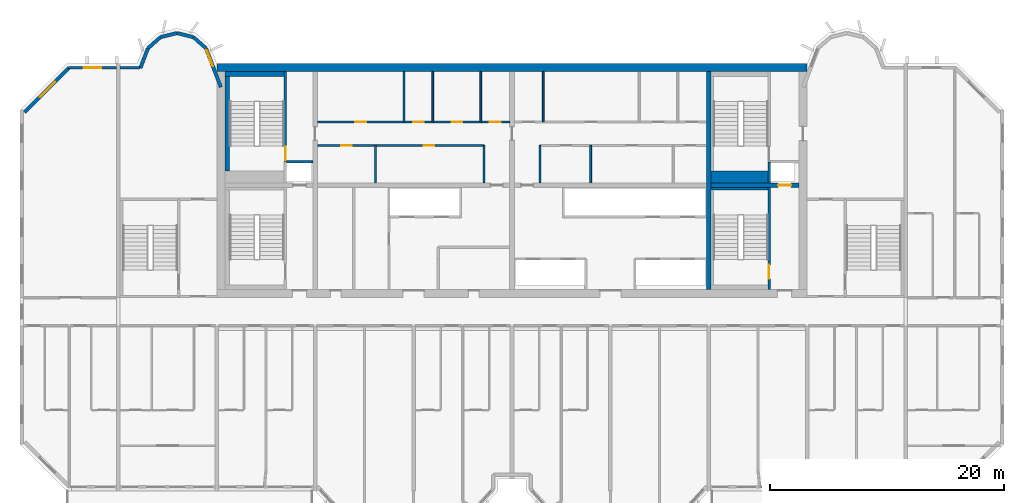
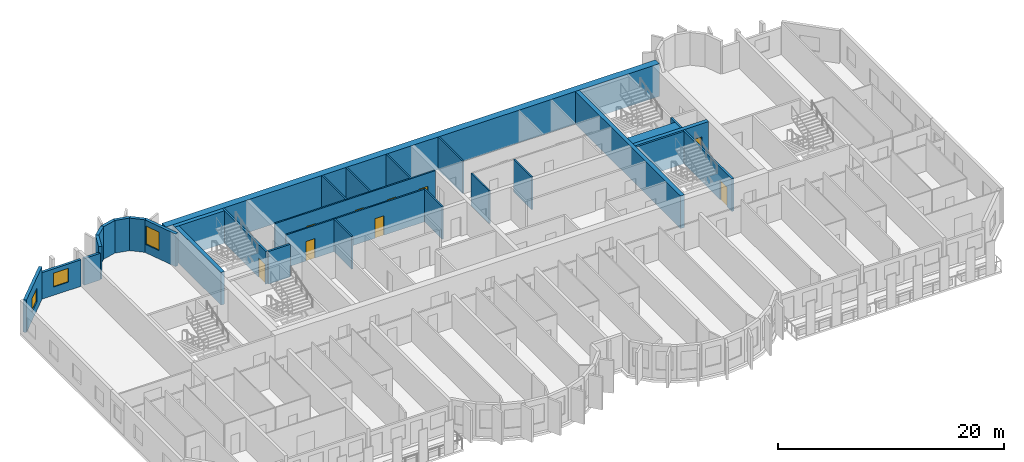
# One storey, part 7 of 13: 30 walls, 9 doors, 3 windows, 12 openings.
"""IFC4 building model written with IfcOpenShell, lengths in metres."""

import ifcopenshell
import ifcopenshell.guid

model = None  # the IFC model being written
_history = None  # IfcOwnerHistory: only IFC2X3 demands one
_inside = {}  # id of a spatial element -> (the spatial element, [elements in it])
_under = {}  # id of a project, library or spatial element -> (it, [spatial elements below it])
_declared = {}  # id of a project -> (the project, [libraries it declares])
_typed = {}  # id of a type object -> (the type object, [elements of that type])
_made_of = {}  # id of a material, layer set ... -> (it, [elements and type objects made of it])


def new_model(schema):
    """Start an empty IFC model of exactly this schema.

    Asked for "IFC4X3", IfcOpenShell would pick the latest addendum, in which some entities
    have other attributes; the version numbers below select the first issue.
    IFC2X3 requires an IfcOwnerHistory on every rooted entity: one is made here for all.
    """
    global model, _history
    if schema == "IFC4X3":
        model = ifcopenshell.file(schema_version=(4, 3, 0, 0))
    else:
        model = ifcopenshell.file(schema=schema)
    _inside.clear()
    _under.clear()
    _declared.clear()
    _typed.clear()
    _made_of.clear()
    _history = None
    if model.schema == "IFC2X3":
        org = make("IfcOrganization", Name="unknown")
        user = make(
            "IfcPersonAndOrganization",
            ThePerson=make("IfcPerson", FamilyName="unknown"),
            TheOrganization=org,
        )
        app = make(
            "IfcApplication",
            ApplicationDeveloper=org,
            Version="unknown",
            ApplicationFullName="unknown",
            ApplicationIdentifier="unknown",
        )
        _history = make(
            "IfcOwnerHistory",
            OwningUser=user,
            OwningApplication=app,
            ChangeAction="ADDED",
            CreationDate=0,
        )
    return model


def make(cls, **values):
    """One entity of the class cls with the attributes given. An attribute that is None is left unset."""
    return model.create_entity(
        cls, **{name: value for name, value in values.items() if value is not None}
    )


def rooted(cls, **values):
    """An entity with a GlobalId (a new one), such as an element, a storey or a relation."""
    return make(cls, GlobalId=ifcopenshell.guid.new(), OwnerHistory=_history, **values)


def si_unit(unit_type, name, prefix=None):
    """IfcSIUnit, for example si_unit("LENGTHUNIT", "METRE", prefix="MILLI")."""
    return make("IfcSIUnit", UnitType=unit_type, Prefix=prefix, Name=name)


def assignment(units):
    """IfcUnitAssignment: the units of a project."""
    return None if units is None else make("IfcUnitAssignment", Units=units)


def point(xyz):
    """IfcCartesianPoint."""
    return None if xyz is None else make("IfcCartesianPoint", Coordinates=xyz)


def direction(xyz):
    """IfcDirection."""
    return None if xyz is None else make("IfcDirection", DirectionRatios=xyz)


def frame(location, z_axis=None, x_axis=None):
    """IfcAxis2Placement3D, a coordinate frame: its origin and axes. An axis left out is left unset."""
    return make(
        "IfcAxis2Placement3D",
        Location=point(location),
        Axis=direction(z_axis),
        RefDirection=direction(x_axis),
    )


def frame_2d(location, x_axis=None):
    """IfcAxis2Placement2D, a coordinate frame in the plane: its origin and x axis."""
    return make(
        "IfcAxis2Placement2D", Location=point(location), RefDirection=direction(x_axis)
    )


def origin():
    """The frame at (0, 0, 0) with its axes left unset."""
    return frame((0.0, 0.0, 0.0))


def place(relative_to, where):
    """IfcLocalPlacement: puts the frame where relative to a parent placement (None: the world)."""
    return make(
        "IfcLocalPlacement", PlacementRelTo=relative_to, RelativePlacement=where
    )


def context(
    kind, dimensions, precision=None, world=None, true_north=None, identifier=None
):
    """IfcGeometricRepresentationContext, for example the 3D "Model" context."""
    return make(
        "IfcGeometricRepresentationContext",
        ContextIdentifier=identifier,
        ContextType=kind,
        CoordinateSpaceDimension=dimensions,
        Precision=precision,
        WorldCoordinateSystem=world,
        TrueNorth=true_north,
    )


def subcontext(parent, identifier, kind, view, scale=None):
    """IfcGeometricRepresentationSubContext, for example "Body" below "Model"."""
    return make(
        "IfcGeometricRepresentationSubContext",
        ContextIdentifier=identifier,
        ContextType=kind,
        ParentContext=parent,
        TargetScale=scale,
        TargetView=view,
    )


def project(units=None, contexts=None):
    """IfcProject with its units and contexts."""
    return rooted(
        "IfcProject",
        Name="project",
        RepresentationContexts=contexts,
        UnitsInContext=assignment(units),
    )


def spatial(cls, under=None, at=None, **own):
    """A site, building, storey or space (cls), placed at a placement, below another one or the project."""
    s = rooted(cls, ObjectPlacement=at, **own)
    if under is not None:
        _under.setdefault(under.id(), (under, []))[1].append(s)
    return s


def profile(cls, at=None, kind="AREA", **sizes):
    """A parametric profile (cls). Its sizes go by their IFC names, for example OverallWidth=200.0."""
    return make(cls, ProfileType=kind, Position=at, **sizes)


def rectangle(**sizes):
    """IfcRectangleProfileDef."""
    return profile("IfcRectangleProfileDef", **sizes)


def extrude(swept, where, along, depth):
    """IfcExtrudedAreaSolid: the profile swept, set in the frame where, extruded along a direction by depth."""
    return make(
        "IfcExtrudedAreaSolid",
        SweptArea=swept,
        Position=where,
        ExtrudedDirection=direction(along),
        Depth=depth,
    )


def shape(context_of_items, identifier, shape_type, items):
    """IfcShapeRepresentation: the items that make up one representation, for example the "Body"."""
    return make(
        "IfcShapeRepresentation",
        ContextOfItems=context_of_items,
        RepresentationIdentifier=identifier,
        RepresentationType=shape_type,
        Items=items,
    )


def source(mapping_origin, context_of_items, identifier, shape_type, items):
    """IfcRepresentationMap: a shape defined once, which mapped items show again and again."""
    return make(
        "IfcRepresentationMap",
        MappingOrigin=mapping_origin,
        MappedRepresentation=shape(context_of_items, identifier, shape_type, items),
    )


def transform(
    local_origin,
    x_axis=None,
    y_axis=None,
    z_axis=None,
    scale=None,
    scale2=None,
    scale3=None,
    uniform=True,
):
    """IfcCartesianTransformationOperator3D, or its non-uniform kind. x_axis, y_axis, z_axis: its Axis1, 2, 3."""
    if uniform:
        return make(
            "IfcCartesianTransformationOperator3D",
            Axis1=direction(x_axis),
            Axis2=direction(y_axis),
            LocalOrigin=point(local_origin),
            Scale=scale,
            Axis3=direction(z_axis),
        )
    return make(
        "IfcCartesianTransformationOperator3DnonUniform",
        Axis1=direction(x_axis),
        Axis2=direction(y_axis),
        LocalOrigin=point(local_origin),
        Scale=scale,
        Axis3=direction(z_axis),
        Scale2=scale2,
        Scale3=scale3,
    )


def mapped(mapping_source, mapping_target):
    """IfcMappedItem: shows the shape of a source again, moved by a transform."""
    return make(
        "IfcMappedItem", MappingSource=mapping_source, MappingTarget=mapping_target
    )


def material(Name=None, Category=None):
    """IfcMaterial."""
    return make("IfcMaterial", Name=Name, Category=Category)


def layer(
    of_material, thickness, ventilated=None, Name=None, Category=None, Priority=None
):
    """IfcMaterialLayer: one layer of a wall or slab, of a material (None: an air gap)."""
    return make(
        "IfcMaterialLayer",
        Material=of_material,
        LayerThickness=thickness,
        IsVentilated=ventilated,
        Name=Name,
        Category=Category,
        Priority=Priority,
    )


def layer_set(layers, Name=None):
    """IfcMaterialLayerSet."""
    return make("IfcMaterialLayerSet", MaterialLayers=layers, LayerSetName=Name)


def made_of(thing, what):
    """Note that an element or type object is made of a material, layer set ...; save() writes the relation."""
    if what is not None:
        _made_of.setdefault(what.id(), (what, []))[1].append(thing)
    return thing


def type_object(cls, material=None, **own):
    """A type object (cls), such as IfcWallType, which elements share."""
    return made_of(rooted(cls, **own), material)


def element(
    cls,
    number,
    at=None,
    inside=None,
    cuts=None,
    type_object=None,
    material=None,
    context=None,
    identifier="Body",
    shape_type=None,
    held_by="IfcProductDefinitionShape",
    body=None,
    shapes=None,
    **own,
):
    """One element of the class cls, such as IfcWall. Its Tag is "e" and its number.

    at: its placement. inside: the storey or other place that contains it. cuts: it is an
    opening in that element (IfcRelVoidsElement). A single representation is given by context,
    identifier, shape_type and body (its items); several are given by shapes. held_by: the class
    of the entity that holds the representations. save() writes the other relations.
    """
    e = rooted(cls, Tag="e%d" % number, ObjectPlacement=at, **own)
    if body is not None:
        shapes = [shape(context, identifier, shape_type, body)]
    if shapes is not None:
        e.Representation = make(held_by, Representations=shapes)
    if inside is not None:
        _inside.setdefault(inside.id(), (inside, []))[1].append(e)
    if cuts is not None:
        rooted(
            "IfcRelVoidsElement", RelatingBuildingElement=cuts, RelatedOpeningElement=e
        )
    if type_object is not None:
        _typed.setdefault(type_object.id(), (type_object, []))[1].append(e)
    return made_of(e, material)


def fill(opening, filler):
    """IfcRelFillsElement: the door or window that sits in an opening."""
    return rooted(
        "IfcRelFillsElement",
        RelatingOpeningElement=opening,
        RelatedBuildingElement=filler,
    )


def aggregate(whole, parts):
    """IfcRelAggregates: a whole, such as a stair, and the parts it consists of."""
    return rooted("IfcRelAggregates", RelatingObject=whole, RelatedObjects=parts)


def save(model, path):
    """Write the relations noted so far, then the file.

    IfcRelAggregates (storeys below a building ...), IfcRelContainedInSpatialStructure (elements
    in a storey), IfcRelDefinesByType, IfcRelAssociatesMaterial and IfcRelDeclares: one each for
    every whole, place, type object, material and project.
    """
    for whole, parts in _under.values():
        aggregate(whole, parts)
    for where, things in _inside.values():
        rooted(
            "IfcRelContainedInSpatialStructure",
            RelatedElements=things,
            RelatingStructure=where,
        )
    for kind, things in _typed.values():
        rooted("IfcRelDefinesByType", RelatedObjects=things, RelatingType=kind)
    for what, things in _made_of.values():
        rooted("IfcRelAssociatesMaterial", RelatedObjects=things, RelatingMaterial=what)
    for by, libraries in _declared.values():
        rooted("IfcRelDeclares", RelatingContext=by, RelatedDefinitions=libraries)
    model.write(path)


model = new_model("IFC4")

# Units and contexts
model_context = context("Model", 3, precision=1e-05, world=origin(), true_north=direction((0.0, 1.0)))
body_context = subcontext(model_context, "Body", "Model", "MODEL_VIEW")
ifc_project = project(units=[si_unit("LENGTHUNIT", "METRE"), si_unit("AREAUNIT", "SQUARE_METRE"), si_unit("VOLUMEUNIT", "CUBIC_METRE"), si_unit("PLANEANGLEUNIT", "RADIAN"), si_unit("MASSUNIT", "GRAM", prefix="KILO")], contexts=[model_context])

# Site, building, storey
site_placement = place(None, origin())
site = spatial("IfcSite", under=ifc_project, at=site_placement, CompositionType="ELEMENT")
building_placement = place(site_placement, origin())
building = spatial("IfcBuilding", under=site, at=building_placement, Name="Vanashikhar Sky Hotel", CompositionType="ELEMENT")
storey_placement = place(building_placement, frame((0.0, 0.0, 163.0)))
storey = spatial("IfcBuildingStorey", under=building, at=storey_placement, Name="L39", CompositionType="ELEMENT", Elevation=163.0)

# Walls
ifc_material_1 = material(Name="Concrete M60", Category="concrete")
ifc_layer_1 = layer(ifc_material_1, 0.39990234375)
ifc_layer_set_1 = layer_set([ifc_layer_1], Name="RC core inner wall 400 Concrete M60")
wall_type_1 = type_object("IfcWallType", Name="RC core inner wall 400 Concrete M60", PredefinedType="SHEAR", material=ifc_layer_set_1)
shared_shape_1 = source(origin(), body_context, "Body", "SweptSolid", [
    extrude(rectangle(XDim=18.60009765625, YDim=0.39990234375, at=frame_2d((9.300048828125, 0.0))), origin(), (0.0, 0.0, 1.0), 3.52001953125),
])
wall_1_placement = place(storey_placement, frame((67.199951171875, 22.699951171875, 0.0), z_axis=(0.0, 0.0, 1.0), x_axis=(0.0, 1.0, 0.0)))
element("IfcWall", 1, at=wall_1_placement, inside=storey, type_object=wall_type_1, Name="KW-L39-KX3", PredefinedType="SHEAR", context=body_context, shape_type="MappedRepresentation", body=[
    mapped(shared_shape_1, transform((0.0, 0.0, 0.0), scale=1.0)),
])
ifc_layer_2 = layer(ifc_material_1, 0.699951171875)
ifc_layer_set_2 = layer_set([ifc_layer_2], Name="RC core shell wall 700 Concrete M60")
wall_type_2 = type_object("IfcWallType", Name="RC core shell wall 700 Concrete M60", PredefinedType="SHEAR", material=ifc_layer_set_2)
shared_shape_2 = source(origin(), body_context, "Body", "SweptSolid", [
    extrude(rectangle(XDim=50.400146484375, YDim=0.699951171875, at=frame_2d((25.2001953125, 0.0))), origin(), (0.0, 0.0, 1.0), 3.52001953125),
])
wall_2_placement = place(storey_placement, frame((25.199951171875, 41.64990234375, 0.0), z_axis=(0.0, 0.0, 1.0), x_axis=(1.0, 0.0, 0.0)))
element("IfcWall", 2, at=wall_2_placement, inside=storey, type_object=wall_type_2, Name="KW-L39-KN", PredefinedType="SHEAR", context=body_context, shape_type="MappedRepresentation", body=[
    mapped(shared_shape_2, transform((0.0, 0.0, 0.0), scale=1.0)),
])

# Wall, opening, door
shared_shape_3 = source(origin(), body_context, "Body", "SweptSolid", [
    extrude(rectangle(XDim=7.5, YDim=0.39990234375, at=frame_2d((3.75, 0.0))), origin(), (0.0, 0.0, 1.0), 3.52001953125),
])
wall_3_placement = place(storey_placement, frame((67.39990234375, 31.60009765625, 0.0), z_axis=(0.0, 0.0, 1.0), x_axis=(1.0, 0.0, 0.0)))
wall_3 = element("IfcWall", 3, at=wall_3_placement, inside=storey, type_object=wall_type_1, Name="KW-L39-KY4", PredefinedType="SHEAR", context=body_context, shape_type="MappedRepresentation", body=[
    mapped(shared_shape_3, transform((0.0, 0.0, 0.0), scale=1.0)),
])
shared_shape_4 = source(origin(), body_context, "Body", "SweptSolid", [
    extrude(rectangle(XDim=1.10009765625, YDim=2.10009765625, at=frame_2d((0.550048828125, 1.050048828125))), frame((0.0, 0.2099609375, 0.0), z_axis=(0.0, -1.0, 0.0), x_axis=(1.0, 0.0, 0.0)), (0.0, 0.0, 1.0), 0.419921875),
])
opening_1_placement = place(wall_3_placement, frame((5.72509765625, 0.0, 0.0)))
opening_1 = element("IfcOpeningElement", 4, at=opening_1_placement, cuts=wall_3, Name="Opening LD", PredefinedType="OPENING", context=body_context, shape_type="MappedRepresentation", body=[
    mapped(shared_shape_4, transform((0.0, 0.0, 0.0), scale=1.0)),
])
ifc_material_2 = material(Name="Stainless steel", Category="steel")
door_type_1 = type_object("IfcDoorType", Name="Lift landing door 1100", OperationType="NOTDEFINED", PredefinedType="DOOR", material=ifc_material_2)
shared_shape_5 = source(origin(), body_context, "Body", "SweptSolid", [
    extrude(rectangle(XDim=1.10009765625, YDim=2.10009765625, at=frame_2d((0.550048828125, 1.050048828125))), frame((0.0, 0.02490234375, 0.0), z_axis=(0.0, -1.0, 0.0), x_axis=(1.0, 0.0, 0.0)), (0.0, 0.0, 1.0), 0.050048828125),
])
door_1_placement = place(opening_1_placement, origin())
door_1 = element("IfcDoor", 5, at=door_1_placement, inside=storey, type_object=door_type_1, Name="Lift landing door 1100", OperationType="SLIDING_TO_LEFT", OverallHeight=2.10009765625, OverallWidth=1.10009765625, PredefinedType="DOOR", context=body_context, shape_type="MappedRepresentation", body=[
    mapped(shared_shape_5, transform((0.0, 0.0, 0.0), scale=1.0)),
])
fill(opening_1, door_1)

# Wall, opening, window
ifc_material_3 = material(Name="Concrete M50", Category="concrete")
ifc_layer_3 = layer(ifc_material_3, 0.300048828125)
ifc_layer_set_3 = layer_set([ifc_layer_3], Name="Lobe wall 300")
wall_type_3 = type_object("IfcWallType", Name="Lobe wall 300", PredefinedType="SOLIDWALL", material=ifc_layer_set_3)
shared_shape_6 = source(origin(), body_context, "Body", "SweptSolid", [
    extrude(rectangle(XDim=5.32568359375, YDim=0.300048828125, at=frame_2d((2.662841796875, 0.0))), origin(), (0.0, 0.0, 1.0), 3.52001953125),
])
wall_4_placement = place(storey_placement, frame((12.565673828125, 41.60009765625, 0.0), z_axis=(0.0, 0.0, 1.0), x_axis=(-0.707083859269, -0.707129702361, 0.0)))
wall_4 = element("IfcWall", 6, at=wall_4_placement, inside=storey, type_object=wall_type_3, Name="Corner wall", PredefinedType="SOLIDWALL", context=body_context, shape_type="MappedRepresentation", body=[
    mapped(shared_shape_6, transform((0.0, 0.0, 0.0), scale=1.0)),
])
shared_shape_7 = source(origin(), body_context, "Body", "SweptSolid", [
    extrude(rectangle(XDim=1.800048828125, YDim=1.5, at=frame_2d((0.89990234375, 0.75))), frame((0.0, 0.16015625, 0.0), z_axis=(0.0, -1.0, 0.0), x_axis=(1.0, 0.0, 0.0)), (0.0, 0.0, 1.0), 0.320068359375),
])
opening_2_placement = place(wall_4_placement, frame((1.689453125, 0.0, 0.89990234375)))
opening_2 = element("IfcOpeningElement", 7, at=opening_2_placement, cuts=wall_4, Name="Opening WN-4", PredefinedType="OPENING", context=body_context, shape_type="MappedRepresentation", body=[
    mapped(shared_shape_7, transform((0.0, 0.0, 0.0), scale=1.0)),
])
ifc_material_4 = material(Name="Glass", Category="glass")
window_type_1 = type_object("IfcWindowType", Name="Corner window 1800 x 1500", PartitioningType="SINGLE_PANEL", PredefinedType="WINDOW", material=ifc_material_4)
shared_shape_8 = source(origin(), body_context, "Body", "SweptSolid", [
    extrude(rectangle(XDim=1.800048828125, YDim=1.5, at=frame_2d((0.89990234375, 0.75))), frame((0.0, 0.030029296875, 0.0), z_axis=(0.0, -1.0, 0.0), x_axis=(1.0, 0.0, 0.0)), (0.0, 0.0, 1.0), 0.06005859375),
])
window_1_placement = place(opening_2_placement, origin())
window_1 = element("IfcWindow", 8, at=window_1_placement, inside=storey, type_object=window_type_1, Name="Window WN-4", OverallHeight=1.5, OverallWidth=1.800048828125, PartitioningType="SINGLE_PANEL", PredefinedType="WINDOW", context=body_context, shape_type="MappedRepresentation", body=[
    mapped(shared_shape_8, transform((0.0, 0.0, 0.0), scale=1.0)),
])
fill(opening_2, window_1)

shared_shape_9 = source(origin(), body_context, "Body", "SweptSolid", [
    extrude(rectangle(XDim=3.55908203125, YDim=0.300048828125, at=frame_2d((1.779541015625, 0.0))), origin(), (0.0, 0.0, 1.0), 3.52001953125),
])
wall_5_placement = place(storey_placement, frame((25.550048828125, 39.968505859375, 0.0), z_axis=(0.0, 0.0, 1.0), x_axis=(-0.35779745313, 0.933799219604, 0.0)))
wall_5 = element("IfcWall", 9, at=wall_5_placement, inside=storey, type_object=wall_type_3, Name="Lobe wall", PredefinedType="SOLIDWALL", context=body_context, shape_type="MappedRepresentation", body=[
    mapped(shared_shape_9, transform((0.0, 0.0, 0.0), scale=1.0)),
])
shared_shape_10 = source(origin(), body_context, "Body", "SweptSolid", [
    extrude(rectangle(XDim=1.5, YDim=2.0, at=frame_2d((0.75, 1.0))), frame((0.0, 0.16015625, 0.0), z_axis=(0.0, -1.0, 0.0), x_axis=(1.0, 0.0, 0.0)), (0.0, 0.0, 1.0), 0.320068359375),
])
opening_3_placement = place(wall_5_placement, frame((1.9033203125, 0.0, 0.89990234375)))
opening_3 = element("IfcOpeningElement", 10, at=opening_3_placement, cuts=wall_5, Name="Opening WN-2", PredefinedType="OPENING", context=body_context, shape_type="MappedRepresentation", body=[
    mapped(shared_shape_10, transform((0.0, 0.0, 0.0), scale=1.0)),
])
window_type_2 = type_object("IfcWindowType", Name="Lobe window 1500 x 2000", PartitioningType="SINGLE_PANEL", PredefinedType="WINDOW", material=ifc_material_4)
shared_shape_11 = source(origin(), body_context, "Body", "SweptSolid", [
    extrude(rectangle(XDim=1.5, YDim=2.0, at=frame_2d((0.75, 1.0))), frame((0.0, 0.030029296875, 0.0), z_axis=(0.0, -1.0, 0.0), x_axis=(1.0, 0.0, 0.0)), (0.0, 0.0, 1.0), 0.06005859375),
])
window_2_placement = place(opening_3_placement, origin())
window_2 = element("IfcWindow", 11, at=window_2_placement, inside=storey, type_object=window_type_2, Name="Window WN-2", OverallHeight=2.0, OverallWidth=1.5, PartitioningType="SINGLE_PANEL", PredefinedType="WINDOW", context=body_context, shape_type="MappedRepresentation", body=[
    mapped(shared_shape_11, transform((0.0, 0.0, 0.0), scale=1.0)),
])
fill(opening_3, window_2)

# Walls
shared_shape_12 = source(origin(), body_context, "Body", "SweptSolid", [
    extrude(rectangle(XDim=1.440185546875, YDim=0.300048828125, at=frame_2d((0.72021484375, 0.0))), origin(), (0.0, 0.0, 1.0), 3.52001953125),
])
wall_6_placement = place(storey_placement, frame((24.276611328125, 43.2919921875, 0.0), z_axis=(0.0, 0.0, 1.0), x_axis=(-0.749649827867, 0.661834673902, 0.0)))
element("IfcWall", 12, at=wall_6_placement, inside=storey, type_object=wall_type_3, Name="Lobe wall", PredefinedType="SOLIDWALL", context=body_context, shape_type="MappedRepresentation", body=[
    mapped(shared_shape_12, transform((0.0, 0.0, 0.0), scale=1.0)),
])
shared_shape_13 = source(origin(), body_context, "Body", "SweptSolid", [
    extrude(rectangle(XDim=1.4384765625, YDim=0.300048828125, at=frame_2d((0.71923828125, 0.0))), origin(), (0.0, 0.0, 1.0), 3.52001953125),
])
wall_7_placement = place(storey_placement, frame((23.197021484375, 44.2451171875, 0.0), z_axis=(0.0, 0.0, 1.0), x_axis=(-0.971152283879, 0.238460146601, 0.0)))
element("IfcWall", 13, at=wall_7_placement, inside=storey, type_object=wall_type_3, Name="Lobe wall", PredefinedType="SOLIDWALL", context=body_context, shape_type="MappedRepresentation", body=[
    mapped(shared_shape_13, transform((0.0, 0.0, 0.0), scale=1.0)),
])
shared_shape_14 = source(origin(), body_context, "Body", "SweptSolid", [
    extrude(rectangle(XDim=1.438720703125, YDim=0.300048828125, at=frame_2d((0.71923828125, 0.0))), origin(), (0.0, 0.0, 1.0), 3.52001953125),
])
wall_8_placement = place(storey_placement, frame((21.800048828125, 44.588134765625, 0.0), z_axis=(0.0, 0.0, 1.0), x_axis=(-0.971161932466, -0.238420848351, 0.0)))
element("IfcWall", 14, at=wall_8_placement, inside=storey, type_object=wall_type_3, Name="Lobe wall", PredefinedType="SOLIDWALL", context=body_context, shape_type="MappedRepresentation", body=[
    mapped(shared_shape_14, transform((0.0, 0.0, 0.0), scale=1.0)),
])
shared_shape_15 = source(origin(), body_context, "Body", "SweptSolid", [
    extrude(rectangle(XDim=1.43994140625, YDim=0.300048828125, at=frame_2d((0.719970703125, 0.0))), origin(), (0.0, 0.0, 1.0), 3.52001953125),
])
wall_9_placement = place(storey_placement, frame((20.40283203125, 44.2451171875, 0.0), z_axis=(0.0, 0.0, 1.0), x_axis=(-0.74957555648, -0.661918790432, 0.0)))
element("IfcWall", 15, at=wall_9_placement, inside=storey, type_object=wall_type_3, Name="Lobe wall", PredefinedType="SOLIDWALL", context=body_context, shape_type="MappedRepresentation", body=[
    mapped(shared_shape_15, transform((0.0, 0.0, 0.0), scale=1.0)),
])
shared_shape_16 = source(origin(), body_context, "Body", "SweptSolid", [
    extrude(rectangle(XDim=1.81201171875, YDim=0.300048828125, at=frame_2d((0.906005859375, 0.0))), origin(), (0.0, 0.0, 1.0), 3.52001953125),
])
wall_10_placement = place(storey_placement, frame((19.323486328125, 43.2919921875, 0.0), z_axis=(0.0, 0.0, 1.0), x_axis=(-0.357877270961, -0.93376863244, 0.0)))
element("IfcWall", 16, at=wall_10_placement, inside=storey, type_object=wall_type_3, Name="Lobe wall", PredefinedType="SOLIDWALL", context=body_context, shape_type="MappedRepresentation", body=[
    mapped(shared_shape_16, transform((0.0, 0.0, 0.0), scale=1.0)),
])

# Wall, opening, window
ifc_layer_4 = layer(ifc_material_3, 0.25)
ifc_layer_set_4 = layer_set([ifc_layer_4], Name="Rear and end board-marked wall 250")
wall_type_4 = type_object("IfcWallType", Name="Rear and end board-marked wall 250", PredefinedType="SOLIDWALL", material=ifc_layer_set_4)
shared_shape_17 = source(origin(), body_context, "Body", "SweptSolid", [
    extrude(rectangle(XDim=4.094482421875, YDim=0.25, at=frame_2d((2.04736328125, 0.0))), origin(), (0.0, 0.0, 1.0), 2.8701171875),
])
wall_11_placement = place(storey_placement, frame((16.64990234375, 41.625, 0.0), z_axis=(0.0, 0.0, 1.0), x_axis=(-1.0, 0.0, 0.0)))
wall_11 = element("IfcWall", 17, at=wall_11_placement, inside=storey, type_object=wall_type_4, Name="Rear board-marked wall", PredefinedType="SOLIDWALL", context=body_context, shape_type="MappedRepresentation", body=[
    mapped(shared_shape_17, transform((0.0, 0.0, 0.0), scale=1.0)),
])
shared_shape_18 = source(origin(), body_context, "Body", "SweptSolid", [
    extrude(rectangle(XDim=1.5, YDim=1.5, at=frame_2d((0.75, 0.75))), frame((0.0, 0.135009765625, 0.0), z_axis=(0.0, -1.0, 0.0), x_axis=(1.0, 0.0, 0.0)), (0.0, 0.0, 1.0), 0.27001953125),
])
opening_4_placement = place(wall_11_placement, frame((1.29736328125, 0.0, 0.89990234375)))
opening_4 = element("IfcOpeningElement", 18, at=opening_4_placement, cuts=wall_11, Name="Opening WN-1", PredefinedType="OPENING", context=body_context, shape_type="MappedRepresentation", body=[
    mapped(shared_shape_18, transform((0.0, 0.0, 0.0), scale=1.0)),
])
window_type_3 = type_object("IfcWindowType", Name="Window 1500 x 1500", PartitioningType="SINGLE_PANEL", PredefinedType="WINDOW", material=ifc_material_4)
shared_shape_19 = source(origin(), body_context, "Body", "SweptSolid", [
    extrude(rectangle(XDim=1.5, YDim=1.5, at=frame_2d((0.75, 0.75))), frame((0.0, 0.030029296875, 0.0), z_axis=(0.0, -1.0, 0.0), x_axis=(1.0, 0.0, 0.0)), (0.0, 0.0, 1.0), 0.06005859375),
])
window_3_placement = place(opening_4_placement, origin())
window_3 = element("IfcWindow", 19, at=window_3_placement, inside=storey, type_object=window_type_3, Name="Window WN-1", OverallHeight=1.5, OverallWidth=1.5, PartitioningType="SINGLE_PANEL", PredefinedType="WINDOW", context=body_context, shape_type="MappedRepresentation", body=[
    mapped(shared_shape_19, transform((0.0, 0.0, 0.0), scale=1.0)),
])
fill(opening_4, window_3)

# Walls
shared_shape_20 = source(origin(), body_context, "Body", "SweptSolid", [
    extrude(rectangle(XDim=1.7080078125, YDim=0.25, at=frame_2d((0.85400390625, 0.0))), origin(), (0.0, 0.0, 1.0), 2.8701171875),
])
wall_12_placement = place(storey_placement, frame((18.657958984375, 41.625, 0.0), z_axis=(0.0, 0.0, 1.0), x_axis=(-1.0, 0.0, 0.0)))
element("IfcWall", 20, at=wall_12_placement, inside=storey, type_object=wall_type_4, Name="Rear board-marked wall", PredefinedType="SOLIDWALL", context=body_context, shape_type="MappedRepresentation", body=[
    mapped(shared_shape_20, transform((0.0, 0.0, 0.0), scale=1.0)),
])
ifc_material_5 = material(Name="Concrete M40", Category="concrete")
ifc_layer_5 = layer(ifc_material_5, 0.199951171875)
ifc_layer_set_5 = layer_set([ifc_layer_5], Name="Shaft wall 200")
wall_type_5 = type_object("IfcWallType", Name="Shaft wall 200", PredefinedType="SOLIDWALL", material=ifc_layer_set_5)
shared_shape_21 = source(origin(), body_context, "Body", "SweptSolid", [
    extrude(rectangle(XDim=2.25, YDim=0.199951171875, at=frame_2d((1.125, 0.0))), origin(), (0.0, 0.0, 1.0), 3.52001953125),
])
wall_13_placement = place(storey_placement, frame((31.14990234375, 33.60009765625, 0.0), z_axis=(0.0, 0.0, 1.0), x_axis=(1.0, 0.0, 0.0)))
element("IfcWall", 21, at=wall_13_placement, inside=storey, type_object=wall_type_5, Name="Shaft wall 200", PredefinedType="SOLIDWALL", context=body_context, shape_type="MappedRepresentation", body=[
    mapped(shared_shape_21, transform((0.0, 0.0, 0.0), scale=1.0)),
])
ifc_material_6 = material(Name="Gypsum board partition")
ifc_layer_6 = layer(ifc_material_6, 0.14990234375)
ifc_layer_set_6 = layer_set([ifc_layer_6], Name="Service partition 150")
wall_type_6 = type_object("IfcWallType", Name="Service partition 150", PredefinedType="PARTITIONING", material=ifc_layer_set_6)
shared_shape_22 = source(origin(), body_context, "Body", "SweptSolid", [
    extrude(rectangle(XDim=3.199951171875, YDim=0.14990234375, at=frame_2d((1.60009765625, 0.0))), origin(), (0.0, 0.0, 1.0), 3.52001953125),
])
for number, where, z_axis, x_axis, name in (
    (22, (48.0, 31.800048828125, 0.0), (0.0, 0.0, 1.0), (0.0, 1.0, 0.0), "Service partition 150"),
    (23, (38.743896484375, 31.800048828125, 0.0), (0.0, 0.0, 1.0), (0.0, 1.0, 0.0), "Service partition 150"),
    (24, (52.800048828125, 31.800048828125, 0.0), (0.0, 0.0, 1.0), (0.0, 1.0, 0.0), "Service partition 150"),
    (25, (57.112060546875, 31.800048828125, 0.0), (0.0, 0.0, 1.0), (0.0, 1.0, 0.0), "Service partition 150"),
):
    element("IfcWall", number, at=place(storey_placement, frame(where, z_axis=z_axis, x_axis=x_axis)), inside=storey, type_object=wall_type_6, Name=name, PredefinedType="PARTITIONING", context=body_context, shape_type="MappedRepresentation", body=[
        mapped(shared_shape_22, transform((0.0, 0.0, 0.0), scale=1.0)),
    ])

# Wall, openings, doors
shared_shape_23 = source(origin(), body_context, "Body", "SweptSolid", [
    extrude(rectangle(XDim=14.199951171875, YDim=0.14990234375, at=frame_2d((7.10009765625, 0.0))), origin(), (0.0, 0.0, 1.0), 3.52001953125),
])
wall_14_placement = place(storey_placement, frame((33.800048828125, 35.0, 0.0), z_axis=(0.0, 0.0, 1.0), x_axis=(1.0, 0.0, 0.0)))
wall_14 = element("IfcWall", 26, at=wall_14_placement, inside=storey, type_object=wall_type_6, Name="Service partition 150", PredefinedType="PARTITIONING", context=body_context, shape_type="MappedRepresentation", body=[
    mapped(shared_shape_23, transform((0.0, 0.0, 0.0), scale=1.0)),
])
shared_shape_24 = source(origin(), body_context, "Body", "SweptSolid", [
    extrude(rectangle(XDim=0.89990234375, YDim=2.10009765625, at=frame_2d((0.449951171875, 1.050048828125))), frame((0.0, 0.0849609375, 0.0), z_axis=(0.0, -1.0, 0.0), x_axis=(1.0, 0.0, 0.0)), (0.0, 0.0, 1.0), 0.169921875),
])
opening_5_placement = place(wall_14_placement, frame((2.02197265625, 0.0, 0.0)))
opening_5 = element("IfcOpeningElement", 27, at=opening_5_placement, cuts=wall_14, Name="Opening DC-4-A", PredefinedType="OPENING", context=body_context, shape_type="MappedRepresentation", body=[
    mapped(shared_shape_24, transform((0.0, 0.0, 0.0), scale=1.0)),
])
opening_6_placement = place(wall_14_placement, frame((9.083984375, 0.0, 0.0)))
opening_6 = element("IfcOpeningElement", 28, at=opening_6_placement, cuts=wall_14, Name="Opening DC-4-A", PredefinedType="OPENING", context=body_context, shape_type="MappedRepresentation", body=[
    mapped(shared_shape_24, transform((0.0, 0.0, 0.0), scale=1.0)),
])
ifc_material_7 = material(Name="Steel", Category="steel")
door_type_2 = type_object("IfcDoorType", Name="Service door 900 FD60", OperationType="NOTDEFINED", PredefinedType="DOOR", material=ifc_material_7)
shared_shape_25 = source(origin(), body_context, "Body", "SweptSolid", [
    extrude(rectangle(XDim=0.89990234375, YDim=2.10009765625, at=frame_2d((0.449951171875, 1.050048828125))), frame((0.0, 0.02490234375, 0.0), z_axis=(0.0, -1.0, 0.0), x_axis=(1.0, 0.0, 0.0)), (0.0, 0.0, 1.0), 0.050048828125),
])
door_2_placement = place(opening_5_placement, origin())
door_2 = element("IfcDoor", 29, at=door_2_placement, inside=storey, type_object=door_type_2, Name="Service door 900 FD60", OperationType="SINGLE_SWING_LEFT", OverallHeight=2.10009765625, OverallWidth=0.89990234375, PredefinedType="DOOR", context=body_context, shape_type="MappedRepresentation", body=[
    mapped(shared_shape_25, transform((0.0, 0.0, 0.0), scale=1.0)),
])
fill(opening_5, door_2)
door_3_placement = place(opening_6_placement, origin())
door_3 = element("IfcDoor", 30, at=door_3_placement, inside=storey, type_object=door_type_2, Name="Service door 900 FD60", OperationType="SINGLE_SWING_RIGHT", OverallHeight=2.10009765625, OverallWidth=0.89990234375, PredefinedType="DOOR", context=body_context, shape_type="MappedRepresentation", body=[
    mapped(shared_shape_25, transform((0.0, 0.0, 0.0), scale=1.0)),
])
fill(opening_6, door_3)

shared_shape_26 = source(origin(), body_context, "Body", "SweptSolid", [
    extrude(rectangle(XDim=16.39990234375, YDim=0.14990234375, at=frame_2d((8.199951171875, 0.0))), origin(), (0.0, 0.0, 1.0), 3.52001953125),
])
wall_15_placement = place(storey_placement, frame((33.800048828125, 37.0, 0.0), z_axis=(0.0, 0.0, 1.0), x_axis=(1.0, 0.0, 0.0)))
wall_15 = element("IfcWall", 31, at=wall_15_placement, inside=storey, type_object=wall_type_6, Name="Service partition 150", PredefinedType="PARTITIONING", context=body_context, shape_type="MappedRepresentation", body=[
    mapped(shared_shape_26, transform((0.0, 0.0, 0.0), scale=1.0)),
])
opening_7_placement = place(wall_15_placement, frame((3.239990234375, 0.0, 0.0)))
opening_7 = element("IfcOpeningElement", 32, at=opening_7_placement, cuts=wall_15, Name="Opening DC-4-A", PredefinedType="OPENING", context=body_context, shape_type="MappedRepresentation", body=[
    mapped(shared_shape_24, transform((0.0, 0.0, 0.0), scale=1.0)),
])
opening_8_placement = place(wall_15_placement, frame((8.159912109375, 0.0, 0.0)))
opening_8 = element("IfcOpeningElement", 33, at=opening_8_placement, cuts=wall_15, Name="Opening DC-4-A", PredefinedType="OPENING", context=body_context, shape_type="MappedRepresentation", body=[
    mapped(shared_shape_24, transform((0.0, 0.0, 0.0), scale=1.0)),
])
opening_9_placement = place(wall_15_placement, frame((11.43994140625, 0.0, 0.0)))
opening_9 = element("IfcOpeningElement", 34, at=opening_9_placement, cuts=wall_15, Name="Opening DC-4-A", PredefinedType="OPENING", context=body_context, shape_type="MappedRepresentation", body=[
    mapped(shared_shape_24, transform((0.0, 0.0, 0.0), scale=1.0)),
])
opening_10_placement = place(wall_15_placement, frame((14.719970703125, 0.0, 0.0)))
opening_10 = element("IfcOpeningElement", 35, at=opening_10_placement, cuts=wall_15, Name="Opening DC-4-A", PredefinedType="OPENING", context=body_context, shape_type="MappedRepresentation", body=[
    mapped(shared_shape_24, transform((0.0, 0.0, 0.0), scale=1.0)),
])
door_4_placement = place(opening_7_placement, origin())
door_4 = element("IfcDoor", 36, at=door_4_placement, inside=storey, type_object=door_type_2, Name="Service door 900 FD60", OperationType="SINGLE_SWING_LEFT", OverallHeight=2.10009765625, OverallWidth=0.89990234375, PredefinedType="DOOR", context=body_context, shape_type="MappedRepresentation", body=[
    mapped(shared_shape_25, transform((0.0, 0.0, 0.0), scale=1.0)),
])
fill(opening_7, door_4)
door_5_placement = place(opening_8_placement, origin())
door_5 = element("IfcDoor", 37, at=door_5_placement, inside=storey, type_object=door_type_2, Name="Service door 900 FD60", OperationType="SINGLE_SWING_LEFT", OverallHeight=2.10009765625, OverallWidth=0.89990234375, PredefinedType="DOOR", context=body_context, shape_type="MappedRepresentation", body=[
    mapped(shared_shape_25, transform((0.0, 0.0, 0.0), scale=1.0)),
])
fill(opening_8, door_5)
door_6_placement = place(opening_9_placement, origin())
door_6 = element("IfcDoor", 38, at=door_6_placement, inside=storey, type_object=door_type_2, Name="Service door 900 FD60", OperationType="SINGLE_SWING_LEFT", OverallHeight=2.10009765625, OverallWidth=0.89990234375, PredefinedType="DOOR", context=body_context, shape_type="MappedRepresentation", body=[
    mapped(shared_shape_25, transform((0.0, 0.0, 0.0), scale=1.0)),
])
fill(opening_9, door_6)
door_7_placement = place(opening_10_placement, origin())
door_7 = element("IfcDoor", 39, at=door_7_placement, inside=storey, type_object=door_type_2, Name="Service door 900 FD60", OperationType="SINGLE_SWING_LEFT", OverallHeight=2.10009765625, OverallWidth=0.89990234375, PredefinedType="DOOR", context=body_context, shape_type="MappedRepresentation", body=[
    mapped(shared_shape_25, transform((0.0, 0.0, 0.0), scale=1.0)),
])
fill(opening_10, door_7)

# Walls
shared_shape_27 = source(origin(), body_context, "Body", "SweptSolid", [
    extrude(rectangle(XDim=4.300048828125, YDim=0.14990234375, at=frame_2d((2.14990234375, 0.0))), origin(), (0.0, 0.0, 1.0), 3.52001953125),
])
for number, where, z_axis, x_axis, name in (
    (40, (41.179931640625, 37.0, 0.0), (0.0, 0.0, 1.0), (0.0, 1.0, 0.0), "Service partition 150"),
    (41, (43.639892578125, 37.0, 0.0), (0.0, 0.0, 1.0), (0.0, 1.0, 0.0), "Service partition 150"),
    (42, (47.739990234375, 37.0, 0.0), (0.0, 0.0, 1.0), (0.0, 1.0, 0.0), "Service partition 150"),
    (43, (53.06005859375, 37.0, 0.0), (0.0, 0.0, 1.0), (0.0, 1.0, 0.0), "Service partition 150"),
):
    element("IfcWall", number, at=place(storey_placement, frame(where, z_axis=z_axis, x_axis=x_axis)), inside=storey, type_object=wall_type_6, Name=name, PredefinedType="PARTITIONING", context=body_context, shape_type="MappedRepresentation", body=[
        mapped(shared_shape_27, transform((0.0, 0.0, 0.0), scale=1.0)),
    ])

# Wall, opening, door
ifc_layer_7 = layer(ifc_material_3, 0.199951171875)
ifc_layer_set_7 = layer_set([ifc_layer_7], Name="Stair wall 200")
wall_type_7 = type_object("IfcWallType", Name="Stair wall 200", PredefinedType="SOLIDWALL", material=ifc_layer_set_7)
shared_shape_28 = source(origin(), body_context, "Body", "SweptSolid", [
    extrude(rectangle(XDim=8.699951171875, YDim=0.199951171875, at=frame_2d((4.35009765625, 0.0))), origin(), (0.0, 0.0, 1.0), 3.52001953125),
])
wall_16_placement = place(storey_placement, frame((72.35009765625, 22.699951171875, 0.0), z_axis=(0.0, 0.0, 1.0), x_axis=(0.0, 1.0, 0.0)))
wall_16 = element("IfcWall", 44, at=wall_16_placement, inside=storey, type_object=wall_type_7, Name="Stair wall 200", PredefinedType="SOLIDWALL", context=body_context, shape_type="MappedRepresentation", body=[
    mapped(shared_shape_28, transform((0.0, 0.0, 0.0), scale=1.0)),
])
shared_shape_29 = source(origin(), body_context, "Body", "SweptSolid", [
    extrude(rectangle(XDim=1.199951171875, YDim=2.10009765625, at=frame_2d((0.60009765625, 1.050048828125))), frame((0.0, 0.10986328125, 0.0), z_axis=(0.0, -1.0, 0.0), x_axis=(1.0, 0.0, 0.0)), (0.0, 0.0, 1.0), 0.219970703125),
])
opening_11_placement = place(wall_16_placement, frame((0.89990234375, 0.0, 0.0)))
opening_11 = element("IfcOpeningElement", 45, at=opening_11_placement, cuts=wall_16, Name="Opening DC-1", PredefinedType="OPENING", context=body_context, shape_type="MappedRepresentation", body=[
    mapped(shared_shape_29, transform((0.0, 0.0, 0.0), scale=1.0)),
])
door_type_3 = type_object("IfcDoorType", Name="Stair door 1200 FD120", OperationType="NOTDEFINED", PredefinedType="DOOR", material=ifc_material_7)
shared_shape_30 = source(origin(), body_context, "Body", "SweptSolid", [
    extrude(rectangle(XDim=1.199951171875, YDim=2.10009765625, at=frame_2d((0.60009765625, 1.050048828125))), frame((0.0, 0.02490234375, 0.0), z_axis=(0.0, -1.0, 0.0), x_axis=(1.0, 0.0, 0.0)), (0.0, 0.0, 1.0), 0.050048828125),
])
door_8_placement = place(opening_11_placement, origin())
door_8 = element("IfcDoor", 46, at=door_8_placement, inside=storey, type_object=door_type_3, Name="Stair door 1200 FD120", OperationType="SINGLE_SWING_LEFT", OverallHeight=2.10009765625, OverallWidth=1.199951171875, PredefinedType="DOOR", context=body_context, shape_type="MappedRepresentation", body=[
    mapped(shared_shape_30, transform((0.0, 0.0, 0.0), scale=1.0)),
])
fill(opening_11, door_8)

# Wall
shared_shape_31 = source(origin(), body_context, "Body", "SweptSolid", [
    extrude(rectangle(XDim=1.800048828125, YDim=0.199951171875, at=frame_2d((0.89990234375, 0.0))), origin(), (0.0, 0.0, 1.0), 3.52001953125),
])
wall_17_placement = place(storey_placement, frame((72.35009765625, 31.800048828125, 0.0), z_axis=(0.0, 0.0, 1.0), x_axis=(0.0, 1.0, 0.0)))
element("IfcWall", 47, at=wall_17_placement, inside=storey, type_object=wall_type_5, Name="Shaft wall 200", PredefinedType="SOLIDWALL", context=body_context, shape_type="MappedRepresentation", body=[
    mapped(shared_shape_31, transform((0.0, 0.0, 0.0), scale=1.0)),
])

# Wall, opening, door
shared_shape_32 = source(origin(), body_context, "Body", "SweptSolid", [
    extrude(rectangle(XDim=7.699951171875, YDim=0.199951171875, at=frame_2d((3.85009765625, 0.0))), origin(), (0.0, 0.0, 1.0), 3.52001953125),
])
wall_18_placement = place(storey_placement, frame((31.050048828125, 33.60009765625, 0.0), z_axis=(0.0, 0.0, 1.0), x_axis=(0.0, 1.0, 0.0)))
wall_18 = element("IfcWall", 48, at=wall_18_placement, inside=storey, type_object=wall_type_7, Name="Stair wall 200", PredefinedType="SOLIDWALL", context=body_context, shape_type="MappedRepresentation", body=[
    mapped(shared_shape_32, transform((0.0, 0.0, 0.0), scale=1.0)),
])
opening_12_placement = place(wall_18_placement, frame((0.10009765625, 0.0, 0.0)))
opening_12 = element("IfcOpeningElement", 49, at=opening_12_placement, cuts=wall_18, Name="Opening DC-1", PredefinedType="OPENING", context=body_context, shape_type="MappedRepresentation", body=[
    mapped(shared_shape_29, transform((0.0, 0.0, 0.0), scale=1.0)),
])
door_9_placement = place(opening_12_placement, origin())
door_9 = element("IfcDoor", 50, at=door_9_placement, inside=storey, type_object=door_type_3, Name="Stair door 1200 FD120", OperationType="SINGLE_SWING_LEFT", OverallHeight=2.10009765625, OverallWidth=1.199951171875, PredefinedType="DOOR", context=body_context, shape_type="MappedRepresentation", body=[
    mapped(shared_shape_30, transform((0.0, 0.0, 0.0), scale=1.0)),
])
fill(opening_12, door_9)

# Walls
ifc_layer_8 = layer(ifc_material_3, 0.39990234375)
ifc_layer_set_8 = layer_set([ifc_layer_8], Name="Stair infill wall 400")
wall_type_8 = type_object("IfcWallType", Name="Stair infill wall 400", PredefinedType="SOLIDWALL", material=ifc_layer_set_8)
shared_shape_33 = source(origin(), body_context, "Body", "SweptSolid", [
    extrude(rectangle(XDim=5.050048828125, YDim=0.39990234375, at=frame_2d((2.52490234375, 0.0))), origin(), (0.0, 0.0, 1.0), 3.52001953125),
])
wall_19_placement = place(storey_placement, frame((25.89990234375, 41.10009765625, 0.0), z_axis=(0.0, 0.0, 1.0), x_axis=(1.0, 0.0, 0.0)))
element("IfcWall", 51, at=wall_19_placement, inside=storey, type_object=wall_type_8, Name="Stair infill wall 400", PredefinedType="SOLIDWALL", context=body_context, shape_type="MappedRepresentation", body=[
    mapped(shared_shape_33, transform((0.0, 0.0, 0.0), scale=1.0)),
])
shared_shape_34 = source(origin(), body_context, "Body", "SweptSolid", [
    extrude(rectangle(XDim=8.099853515625, YDim=0.39990234375, at=frame_2d((4.0498046875, 0.0))), origin(), (0.0, 0.0, 1.0), 3.52001953125),
])
wall_20_placement = place(storey_placement, frame((26.10009765625, 32.800048828125, 0.0), z_axis=(0.0, 0.0, 1.0), x_axis=(0.0, 1.0, 0.0)))
element("IfcWall", 52, at=wall_20_placement, inside=storey, type_object=wall_type_8, Name="Stair infill wall 400", PredefinedType="SOLIDWALL", context=body_context, shape_type="MappedRepresentation", body=[
    mapped(shared_shape_34, transform((0.0, 0.0, 0.0), scale=1.0)),
])
ifc_layer_9 = layer(ifc_material_3, 0.199951171875)
ifc_layer_set_9 = layer_set([ifc_layer_9], Name="Stair infill wall 200")
wall_type_9 = type_object("IfcWallType", Name="Stair infill wall 200", PredefinedType="SOLIDWALL", material=ifc_layer_set_9)
shared_shape_35 = source(origin(), body_context, "Body", "SweptSolid", [
    extrude(rectangle(XDim=4.85009765625, YDim=0.199951171875, at=frame_2d((2.425048828125, 0.0))), origin(), (0.0, 0.0, 1.0), 3.52001953125),
])
wall_21_placement = place(storey_placement, frame((67.39990234375, 31.300048828125, 0.0), z_axis=(0.0, 0.0, 1.0), x_axis=(1.0, 0.0, 0.0)))
element("IfcWall", 53, at=wall_21_placement, inside=storey, type_object=wall_type_9, Name="Stair infill wall 200", PredefinedType="SOLIDWALL", context=body_context, shape_type="MappedRepresentation", body=[
    mapped(shared_shape_35, transform((0.0, 0.0, 0.0), scale=1.0)),
])
ifc_layer_10 = layer(ifc_material_3, 1.0)
ifc_layer_set_10 = layer_set([ifc_layer_10], Name="Stair infill wall 1000")
wall_type_10 = type_object("IfcWallType", Name="Stair infill wall 1000", PredefinedType="SOLIDWALL", material=ifc_layer_set_10)
shared_shape_36 = source(origin(), body_context, "Body", "SweptSolid", [
    extrude(rectangle(XDim=4.85009765625, YDim=1.0, at=frame_2d((2.425048828125, 0.0))), origin(), (0.0, 0.0, 1.0), 3.52001953125),
])
wall_22_placement = place(storey_placement, frame((67.39990234375, 32.300048828125, 0.0), z_axis=(0.0, 0.0, 1.0), x_axis=(1.0, 0.0, 0.0)))
element("IfcWall", 54, at=wall_22_placement, inside=storey, type_object=wall_type_10, Name="Stair infill wall 1000", PredefinedType="SOLIDWALL", context=body_context, shape_type="MappedRepresentation", body=[
    mapped(shared_shape_36, transform((0.0, 0.0, 0.0), scale=1.0)),
])

save(model, "model.ifc")
